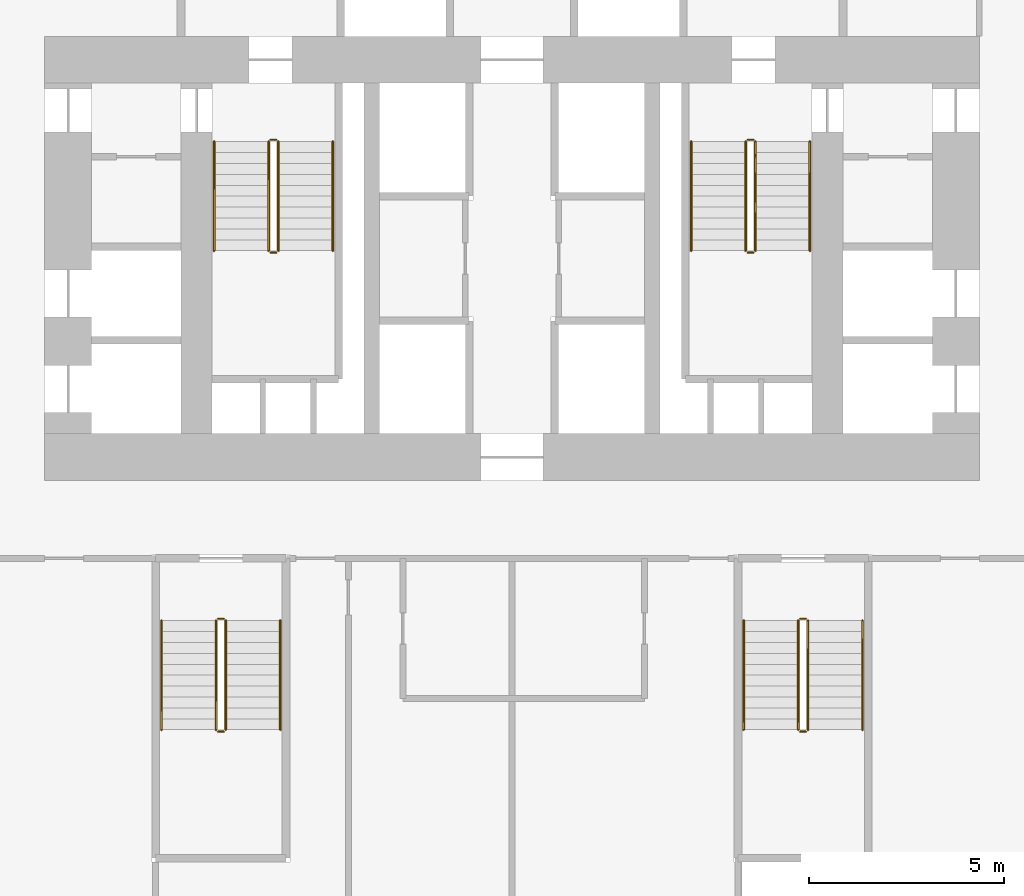
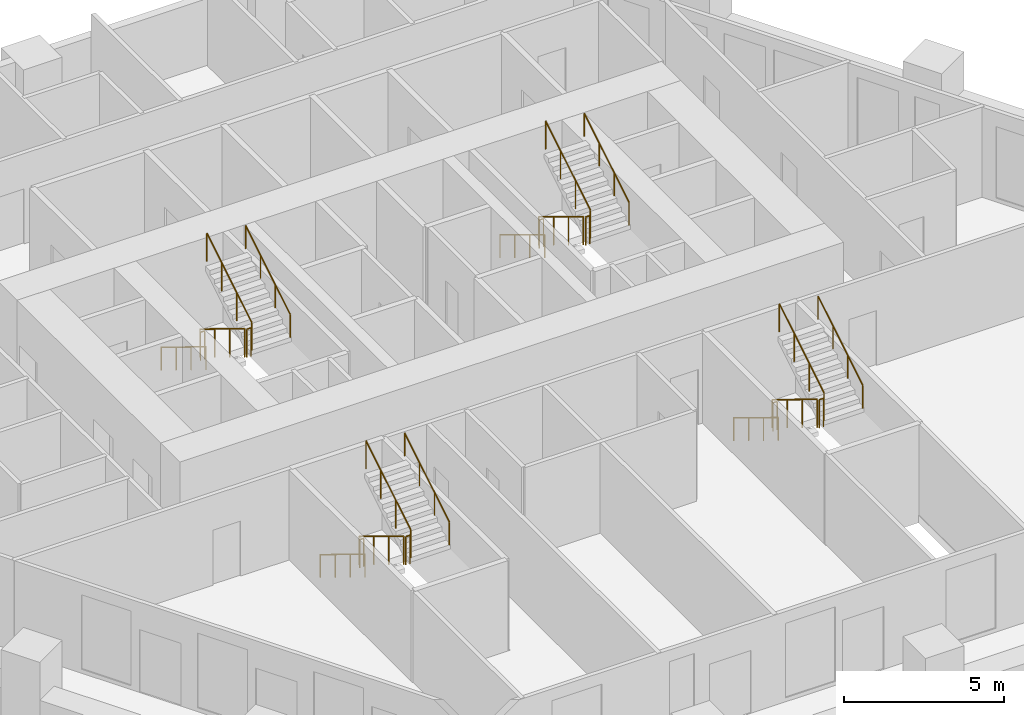
# One storey, part 8 of 8: 24 railings.
"""IFC4 building model written with IfcOpenShell, lengths in metres."""

import ifcopenshell
import ifcopenshell.guid

model = None  # the IFC model being written
_history = None  # IfcOwnerHistory: only IFC2X3 demands one
_inside = {}  # id of a spatial element -> (the spatial element, [elements in it])
_under = {}  # id of a project, library or spatial element -> (it, [spatial elements below it])
_declared = {}  # id of a project -> (the project, [libraries it declares])
_typed = {}  # id of a type object -> (the type object, [elements of that type])
_made_of = {}  # id of a material, layer set ... -> (it, [elements and type objects made of it])


def new_model(schema):
    """Start an empty IFC model of exactly this schema.

    Asked for "IFC4X3", IfcOpenShell would pick the latest addendum, in which some entities
    have other attributes; the version numbers below select the first issue.
    IFC2X3 requires an IfcOwnerHistory on every rooted entity: one is made here for all.
    """
    global model, _history
    if schema == "IFC4X3":
        model = ifcopenshell.file(schema_version=(4, 3, 0, 0))
    else:
        model = ifcopenshell.file(schema=schema)
    _inside.clear()
    _under.clear()
    _declared.clear()
    _typed.clear()
    _made_of.clear()
    _history = None
    if model.schema == "IFC2X3":
        org = make("IfcOrganization", Name="unknown")
        user = make(
            "IfcPersonAndOrganization",
            ThePerson=make("IfcPerson", FamilyName="unknown"),
            TheOrganization=org,
        )
        app = make(
            "IfcApplication",
            ApplicationDeveloper=org,
            Version="unknown",
            ApplicationFullName="unknown",
            ApplicationIdentifier="unknown",
        )
        _history = make(
            "IfcOwnerHistory",
            OwningUser=user,
            OwningApplication=app,
            ChangeAction="ADDED",
            CreationDate=0,
        )
    return model


def make(cls, **values):
    """One entity of the class cls with the attributes given. An attribute that is None is left unset."""
    return model.create_entity(
        cls, **{name: value for name, value in values.items() if value is not None}
    )


def rooted(cls, **values):
    """An entity with a GlobalId (a new one), such as an element, a storey or a relation."""
    return make(cls, GlobalId=ifcopenshell.guid.new(), OwnerHistory=_history, **values)


def si_unit(unit_type, name, prefix=None):
    """IfcSIUnit, for example si_unit("LENGTHUNIT", "METRE", prefix="MILLI")."""
    return make("IfcSIUnit", UnitType=unit_type, Prefix=prefix, Name=name)


def assignment(units):
    """IfcUnitAssignment: the units of a project."""
    return None if units is None else make("IfcUnitAssignment", Units=units)


def point(xyz):
    """IfcCartesianPoint."""
    return None if xyz is None else make("IfcCartesianPoint", Coordinates=xyz)


def direction(xyz):
    """IfcDirection."""
    return None if xyz is None else make("IfcDirection", DirectionRatios=xyz)


def frame(location, z_axis=None, x_axis=None):
    """IfcAxis2Placement3D, a coordinate frame: its origin and axes. An axis left out is left unset."""
    return make(
        "IfcAxis2Placement3D",
        Location=point(location),
        Axis=direction(z_axis),
        RefDirection=direction(x_axis),
    )


def frame_2d(location, x_axis=None):
    """IfcAxis2Placement2D, a coordinate frame in the plane: its origin and x axis."""
    return make(
        "IfcAxis2Placement2D", Location=point(location), RefDirection=direction(x_axis)
    )


def origin():
    """The frame at (0, 0, 0) with its axes left unset."""
    return frame((0.0, 0.0, 0.0))


def origin_2d():
    """The frame at (0, 0) in the plane with its x axis left unset."""
    return frame_2d((0.0, 0.0))


def place(relative_to, where):
    """IfcLocalPlacement: puts the frame where relative to a parent placement (None: the world)."""
    return make(
        "IfcLocalPlacement", PlacementRelTo=relative_to, RelativePlacement=where
    )


def context(
    kind, dimensions, precision=None, world=None, true_north=None, identifier=None
):
    """IfcGeometricRepresentationContext, for example the 3D "Model" context."""
    return make(
        "IfcGeometricRepresentationContext",
        ContextIdentifier=identifier,
        ContextType=kind,
        CoordinateSpaceDimension=dimensions,
        Precision=precision,
        WorldCoordinateSystem=world,
        TrueNorth=true_north,
    )


def subcontext(parent, identifier, kind, view, scale=None):
    """IfcGeometricRepresentationSubContext, for example "Body" below "Model"."""
    return make(
        "IfcGeometricRepresentationSubContext",
        ContextIdentifier=identifier,
        ContextType=kind,
        ParentContext=parent,
        TargetScale=scale,
        TargetView=view,
    )


def project(units=None, contexts=None):
    """IfcProject with its units and contexts."""
    return rooted(
        "IfcProject",
        Name="project",
        RepresentationContexts=contexts,
        UnitsInContext=assignment(units),
    )


def spatial(cls, under=None, at=None, **own):
    """A site, building, storey or space (cls), placed at a placement, below another one or the project."""
    s = rooted(cls, ObjectPlacement=at, **own)
    if under is not None:
        _under.setdefault(under.id(), (under, []))[1].append(s)
    return s


def profile(cls, at=None, kind="AREA", **sizes):
    """A parametric profile (cls). Its sizes go by their IFC names, for example OverallWidth=200.0."""
    return make(cls, ProfileType=kind, Position=at, **sizes)


def circle(**sizes):
    """IfcCircleProfileDef."""
    return profile("IfcCircleProfileDef", **sizes)


def extrude(swept, where, along, depth):
    """IfcExtrudedAreaSolid: the profile swept, set in the frame where, extruded along a direction by depth."""
    return make(
        "IfcExtrudedAreaSolid",
        SweptArea=swept,
        Position=where,
        ExtrudedDirection=direction(along),
        Depth=depth,
    )


def shape(context_of_items, identifier, shape_type, items):
    """IfcShapeRepresentation: the items that make up one representation, for example the "Body"."""
    return make(
        "IfcShapeRepresentation",
        ContextOfItems=context_of_items,
        RepresentationIdentifier=identifier,
        RepresentationType=shape_type,
        Items=items,
    )


def material(Name=None, Category=None):
    """IfcMaterial."""
    return make("IfcMaterial", Name=Name, Category=Category)


def made_of(thing, what):
    """Note that an element or type object is made of a material, layer set ...; save() writes the relation."""
    if what is not None:
        _made_of.setdefault(what.id(), (what, []))[1].append(thing)
    return thing


def type_object(cls, material=None, **own):
    """A type object (cls), such as IfcWallType, which elements share."""
    return made_of(rooted(cls, **own), material)


def element(
    cls,
    number,
    at=None,
    inside=None,
    cuts=None,
    type_object=None,
    material=None,
    context=None,
    identifier="Body",
    shape_type=None,
    held_by="IfcProductDefinitionShape",
    body=None,
    shapes=None,
    **own,
):
    """One element of the class cls, such as IfcWall. Its Tag is "e" and its number.

    at: its placement. inside: the storey or other place that contains it. cuts: it is an
    opening in that element (IfcRelVoidsElement). A single representation is given by context,
    identifier, shape_type and body (its items); several are given by shapes. held_by: the class
    of the entity that holds the representations. save() writes the other relations.
    """
    e = rooted(cls, Tag="e%d" % number, ObjectPlacement=at, **own)
    if body is not None:
        shapes = [shape(context, identifier, shape_type, body)]
    if shapes is not None:
        e.Representation = make(held_by, Representations=shapes)
    if inside is not None:
        _inside.setdefault(inside.id(), (inside, []))[1].append(e)
    if cuts is not None:
        rooted(
            "IfcRelVoidsElement", RelatingBuildingElement=cuts, RelatedOpeningElement=e
        )
    if type_object is not None:
        _typed.setdefault(type_object.id(), (type_object, []))[1].append(e)
    return made_of(e, material)


def aggregate(whole, parts):
    """IfcRelAggregates: a whole, such as a stair, and the parts it consists of."""
    return rooted("IfcRelAggregates", RelatingObject=whole, RelatedObjects=parts)


def save(model, path):
    """Write the relations noted so far, then the file.

    IfcRelAggregates (storeys below a building ...), IfcRelContainedInSpatialStructure (elements
    in a storey), IfcRelDefinesByType, IfcRelAssociatesMaterial and IfcRelDeclares: one each for
    every whole, place, type object, material and project.
    """
    for whole, parts in _under.values():
        aggregate(whole, parts)
    for where, things in _inside.values():
        rooted(
            "IfcRelContainedInSpatialStructure",
            RelatedElements=things,
            RelatingStructure=where,
        )
    for kind, things in _typed.values():
        rooted("IfcRelDefinesByType", RelatedObjects=things, RelatingType=kind)
    for what, things in _made_of.values():
        rooted("IfcRelAssociatesMaterial", RelatedObjects=things, RelatingMaterial=what)
    for by, libraries in _declared.values():
        rooted("IfcRelDeclares", RelatingContext=by, RelatedDefinitions=libraries)
    model.write(path)


model = new_model("IFC4")

# Units and contexts
model_context = context("Model", 3, precision=1e-05, world=origin(), true_north=direction((0.0, 1.0)))
body_context = subcontext(model_context, "Body", "Model", "MODEL_VIEW")
ifc_project = project(units=[si_unit("LENGTHUNIT", "METRE"), si_unit("AREAUNIT", "SQUARE_METRE"), si_unit("VOLUMEUNIT", "CUBIC_METRE"), si_unit("PLANEANGLEUNIT", "RADIAN"), si_unit("MASSUNIT", "GRAM", prefix="KILO")], contexts=[model_context])

# Site, building, storey
site_placement = place(None, origin())
site = spatial("IfcSite", under=ifc_project, at=site_placement, CompositionType="ELEMENT")
building_placement = place(site_placement, origin())
building = spatial("IfcBuilding", under=site, at=building_placement, Name="Ostrander Bayou Hotel Tower", CompositionType="ELEMENT")
storey_placement = place(building_placement, frame((0.0, 0.0, 43.0)))
storey = spatial("IfcBuildingStorey", under=building, at=storey_placement, Name="L10", CompositionType="ELEMENT", Elevation=43.0)

# Railings
ifc_material_1 = material(Name="Steel ASTM A500 Gr C", Category="steel")
railing_type_1 = type_object("IfcRailingType", Name="GR1 stair guard 1100 mm steel", PredefinedType="GUARDRAIL", material=ifc_material_1)
railing_1_placement = place(storey_placement, frame((-6.25, 7.0, 0.17041015625)))
element("IfcRailing", 1, at=railing_1_placement, inside=storey, type_object=railing_type_1, Name="L10 STA stair guard 1", PredefinedType="GUARDRAIL", context=body_context, shape_type="SweptSolid", body=[
    extrude(circle(Radius=0.02392578125, at=origin_2d()), frame((0.0, 0.0, 1.076171875), z_axis=(0.0, -0.854169791009, 0.51999420009), x_axis=(1.0, 0.0, 0.0)), (0.0, 0.0, 1.0), 3.278076171875),
    extrude(circle(Radius=0.02099609375, at=origin_2d()), origin(), (0.0, 0.0, 1.0), 1.052001953125),
    extrude(circle(Radius=0.02099609375, at=origin_2d()), frame((0.0, -0.933349609375, 0.568115234375)), (0.0, 0.0, 1.0), 1.052001953125),
    extrude(circle(Radius=0.02099609375, at=origin_2d()), frame((0.0, -1.86669921875, 1.136474609375)), (0.0, 0.0, 1.0), 1.052001953125),
    extrude(circle(Radius=0.02099609375, at=origin_2d()), frame((0.0, -2.800048828125, 1.70458984375)), (0.0, 0.0, 1.0), 1.052001953125),
])
railing_2_placement = place(storey_placement, frame((-6.199951171875, 4.14990234375, 1.875)))
element("IfcRailing", 2, at=railing_2_placement, inside=storey, type_object=railing_type_1, Name="L10 STA stair guard 2", PredefinedType="GUARDRAIL", context=body_context, shape_type="SweptSolid", body=[
    extrude(circle(Radius=0.02392578125, at=origin_2d()), frame((0.0, 0.0, 1.076171875), z_axis=(1.0, 0.0, 0.0), x_axis=(0.0, 1.0, 0.0)), (0.0, 0.0, 1.0), 0.14990234375),
    extrude(circle(Radius=0.02099609375, at=origin_2d()), origin(), (0.0, 0.0, 1.0), 1.052001953125),
    extrude(circle(Radius=0.02099609375, at=origin_2d()), frame((0.14990234375, 0.0, 0.0)), (0.0, 0.0, 1.0), 1.052001953125),
])
railing_3_placement = place(storey_placement, frame((-6.0, 4.199951171875, 2.04541015625)))
element("IfcRailing", 3, at=railing_3_placement, inside=storey, type_object=railing_type_1, Name="L10 STA stair guard 3", PredefinedType="GUARDRAIL", context=body_context, shape_type="SweptSolid", body=[
    extrude(circle(Radius=0.02392578125, at=origin_2d()), frame((0.0, 0.0, 1.076171875), z_axis=(0.0, 0.854169791009, 0.51999420009), x_axis=(-1.0, 0.0, 0.0)), (0.0, 0.0, 1.0), 3.278076171875),
    extrude(circle(Radius=0.02099609375, at=origin_2d()), origin(), (0.0, 0.0, 1.0), 1.052001953125),
    extrude(circle(Radius=0.02099609375, at=origin_2d()), frame((0.0, 0.933349609375, 0.568115234375)), (0.0, 0.0, 1.0), 1.052001953125),
    extrude(circle(Radius=0.02099609375, at=origin_2d()), frame((0.0, 1.86669921875, 1.136474609375)), (0.0, 0.0, 1.0), 1.052001953125),
    extrude(circle(Radius=0.02099609375, at=origin_2d()), frame((0.0, 2.800048828125, 1.70458984375)), (0.0, 0.0, 1.0), 1.052001953125),
])
railing_4_placement = place(storey_placement, frame((-6.199951171875, 7.050048828125, 0.0)))
element("IfcRailing", 4, at=railing_4_placement, inside=storey, type_object=railing_type_1, Name="L10 STA stair guard 4", PredefinedType="GUARDRAIL", context=body_context, shape_type="SweptSolid", body=[
    extrude(circle(Radius=0.02392578125, at=origin_2d()), frame((0.0, 0.0, 1.076171875), z_axis=(1.0, 0.0, 0.0), x_axis=(0.0, 1.0, 0.0)), (0.0, 0.0, 1.0), 0.14990234375),
    extrude(circle(Radius=0.02099609375, at=origin_2d()), origin(), (0.0, 0.0, 1.0), 1.052001953125),
    extrude(circle(Radius=0.02099609375, at=origin_2d()), frame((0.14990234375, 0.0, 0.0)), (0.0, 0.0, 1.0), 1.052001953125),
])
railing_5_placement = place(storey_placement, frame((6.0, 7.0, 0.17041015625)))
element("IfcRailing", 5, at=railing_5_placement, inside=storey, type_object=railing_type_1, Name="L10 STB stair guard 1", PredefinedType="GUARDRAIL", context=body_context, shape_type="SweptSolid", body=[
    extrude(circle(Radius=0.02392578125, at=origin_2d()), frame((0.0, 0.0, 1.076171875), z_axis=(0.0, -0.854169791009, 0.51999420009), x_axis=(1.0, 0.0, 0.0)), (0.0, 0.0, 1.0), 3.278076171875),
    extrude(circle(Radius=0.02099609375, at=origin_2d()), origin(), (0.0, 0.0, 1.0), 1.052001953125),
    extrude(circle(Radius=0.02099609375, at=origin_2d()), frame((0.0, -0.933349609375, 0.568115234375)), (0.0, 0.0, 1.0), 1.052001953125),
    extrude(circle(Radius=0.02099609375, at=origin_2d()), frame((0.0, -1.86669921875, 1.136474609375)), (0.0, 0.0, 1.0), 1.052001953125),
    extrude(circle(Radius=0.02099609375, at=origin_2d()), frame((0.0, -2.800048828125, 1.70458984375)), (0.0, 0.0, 1.0), 1.052001953125),
])
railing_6_placement = place(storey_placement, frame((6.050048828125, 4.14990234375, 1.875)))
element("IfcRailing", 6, at=railing_6_placement, inside=storey, type_object=railing_type_1, Name="L10 STB stair guard 2", PredefinedType="GUARDRAIL", context=body_context, shape_type="SweptSolid", body=[
    extrude(circle(Radius=0.02392578125, at=origin_2d()), frame((0.0, 0.0, 1.076171875), z_axis=(1.0, 0.0, 0.0), x_axis=(0.0, 1.0, 0.0)), (0.0, 0.0, 1.0), 0.14990234375),
    extrude(circle(Radius=0.02099609375, at=origin_2d()), origin(), (0.0, 0.0, 1.0), 1.052001953125),
    extrude(circle(Radius=0.02099609375, at=origin_2d()), frame((0.14990234375, 0.0, 0.0)), (0.0, 0.0, 1.0), 1.052001953125),
])
railing_7_placement = place(storey_placement, frame((6.25, 4.199951171875, 2.04541015625)))
element("IfcRailing", 7, at=railing_7_placement, inside=storey, type_object=railing_type_1, Name="L10 STB stair guard 3", PredefinedType="GUARDRAIL", context=body_context, shape_type="SweptSolid", body=[
    extrude(circle(Radius=0.02392578125, at=origin_2d()), frame((0.0, 0.0, 1.076171875), z_axis=(0.0, 0.854169791009, 0.51999420009), x_axis=(-1.0, 0.0, 0.0)), (0.0, 0.0, 1.0), 3.278076171875),
    extrude(circle(Radius=0.02099609375, at=origin_2d()), origin(), (0.0, 0.0, 1.0), 1.052001953125),
    extrude(circle(Radius=0.02099609375, at=origin_2d()), frame((0.0, 0.933349609375, 0.568115234375)), (0.0, 0.0, 1.0), 1.052001953125),
    extrude(circle(Radius=0.02099609375, at=origin_2d()), frame((0.0, 1.86669921875, 1.136474609375)), (0.0, 0.0, 1.0), 1.052001953125),
    extrude(circle(Radius=0.02099609375, at=origin_2d()), frame((0.0, 2.800048828125, 1.70458984375)), (0.0, 0.0, 1.0), 1.052001953125),
])
railing_8_placement = place(storey_placement, frame((6.050048828125, 7.050048828125, 0.0)))
element("IfcRailing", 8, at=railing_8_placement, inside=storey, type_object=railing_type_1, Name="L10 STB stair guard 4", PredefinedType="GUARDRAIL", context=body_context, shape_type="SweptSolid", body=[
    extrude(circle(Radius=0.02392578125, at=origin_2d()), frame((0.0, 0.0, 1.076171875), z_axis=(1.0, 0.0, 0.0), x_axis=(0.0, 1.0, 0.0)), (0.0, 0.0, 1.0), 0.14990234375),
    extrude(circle(Radius=0.02099609375, at=origin_2d()), origin(), (0.0, 0.0, 1.0), 1.052001953125),
    extrude(circle(Radius=0.02099609375, at=origin_2d()), frame((0.14990234375, 0.0, 0.0)), (0.0, 0.0, 1.0), 1.052001953125),
])
railing_9_placement = place(storey_placement, frame((7.35009765625, -5.300048828125, 0.17041015625)))
element("IfcRailing", 9, at=railing_9_placement, inside=storey, type_object=railing_type_1, Name="L10 STC stair guard 1", PredefinedType="GUARDRAIL", context=body_context, shape_type="SweptSolid", body=[
    extrude(circle(Radius=0.02392578125, at=origin_2d()), frame((0.0, 0.0, 1.076171875), z_axis=(0.0, -0.854169791009, 0.51999420009), x_axis=(1.0, 0.0, 0.0)), (0.0, 0.0, 1.0), 3.278076171875),
    extrude(circle(Radius=0.02099609375, at=origin_2d()), origin(), (0.0, 0.0, 1.0), 1.052001953125),
    extrude(circle(Radius=0.02099609375, at=origin_2d()), frame((0.0, -0.933349609375, 0.568115234375)), (0.0, 0.0, 1.0), 1.052001953125),
    extrude(circle(Radius=0.02099609375, at=origin_2d()), frame((0.0, -1.86669921875, 1.136474609375)), (0.0, 0.0, 1.0), 1.052001953125),
    extrude(circle(Radius=0.02099609375, at=origin_2d()), frame((0.0, -2.800048828125, 1.70458984375)), (0.0, 0.0, 1.0), 1.052001953125),
])
railing_10_placement = place(storey_placement, frame((7.39990234375, -8.14990234375, 1.875)))
element("IfcRailing", 10, at=railing_10_placement, inside=storey, type_object=railing_type_1, Name="L10 STC stair guard 2", PredefinedType="GUARDRAIL", context=body_context, shape_type="SweptSolid", body=[
    extrude(circle(Radius=0.02392578125, at=origin_2d()), frame((0.0, 0.0, 1.076171875), z_axis=(1.0, 0.0, 0.0), x_axis=(0.0, 1.0, 0.0)), (0.0, 0.0, 1.0), 0.150146484375),
    extrude(circle(Radius=0.02099609375, at=origin_2d()), origin(), (0.0, 0.0, 1.0), 1.052001953125),
    extrude(circle(Radius=0.02099609375, at=origin_2d()), frame((0.150146484375, 0.0, 0.0)), (0.0, 0.0, 1.0), 1.052001953125),
])
railing_11_placement = place(storey_placement, frame((7.60009765625, -8.10009765625, 2.04541015625)))
element("IfcRailing", 11, at=railing_11_placement, inside=storey, type_object=railing_type_1, Name="L10 STC stair guard 3", PredefinedType="GUARDRAIL", context=body_context, shape_type="SweptSolid", body=[
    extrude(circle(Radius=0.02392578125, at=origin_2d()), frame((0.0, 0.0, 1.076171875), z_axis=(0.0, 0.854169791009, 0.51999420009), x_axis=(-1.0, 0.0, 0.0)), (0.0, 0.0, 1.0), 3.278076171875),
    extrude(circle(Radius=0.02099609375, at=origin_2d()), origin(), (0.0, 0.0, 1.0), 1.052001953125),
    extrude(circle(Radius=0.02099609375, at=origin_2d()), frame((0.0, 0.933349609375, 0.568115234375)), (0.0, 0.0, 1.0), 1.052001953125),
    extrude(circle(Radius=0.02099609375, at=origin_2d()), frame((0.0, 1.86669921875, 1.136474609375)), (0.0, 0.0, 1.0), 1.052001953125),
    extrude(circle(Radius=0.02099609375, at=origin_2d()), frame((0.0, 2.800048828125, 1.70458984375)), (0.0, 0.0, 1.0), 1.052001953125),
])
railing_12_placement = place(storey_placement, frame((7.39990234375, -5.25, 0.0)))
element("IfcRailing", 12, at=railing_12_placement, inside=storey, type_object=railing_type_1, Name="L10 STC stair guard 4", PredefinedType="GUARDRAIL", context=body_context, shape_type="SweptSolid", body=[
    extrude(circle(Radius=0.02392578125, at=origin_2d()), frame((0.0, 0.0, 1.076171875), z_axis=(1.0, 0.0, 0.0), x_axis=(0.0, 1.0, 0.0)), (0.0, 0.0, 1.0), 0.150146484375),
    extrude(circle(Radius=0.02099609375, at=origin_2d()), origin(), (0.0, 0.0, 1.0), 1.052001953125),
    extrude(circle(Radius=0.02099609375, at=origin_2d()), frame((0.150146484375, 0.0, 0.0)), (0.0, 0.0, 1.0), 1.052001953125),
])
railing_13_placement = place(storey_placement, frame((-7.60009765625, -5.300048828125, 0.17041015625)))
element("IfcRailing", 13, at=railing_13_placement, inside=storey, type_object=railing_type_1, Name="L10 STD stair guard 1", PredefinedType="GUARDRAIL", context=body_context, shape_type="SweptSolid", body=[
    extrude(circle(Radius=0.02392578125, at=origin_2d()), frame((0.0, 0.0, 1.076171875), z_axis=(0.0, -0.854169791009, 0.51999420009), x_axis=(1.0, 0.0, 0.0)), (0.0, 0.0, 1.0), 3.278076171875),
    extrude(circle(Radius=0.02099609375, at=origin_2d()), origin(), (0.0, 0.0, 1.0), 1.052001953125),
    extrude(circle(Radius=0.02099609375, at=origin_2d()), frame((0.0, -0.933349609375, 0.568115234375)), (0.0, 0.0, 1.0), 1.052001953125),
    extrude(circle(Radius=0.02099609375, at=origin_2d()), frame((0.0, -1.86669921875, 1.136474609375)), (0.0, 0.0, 1.0), 1.052001953125),
    extrude(circle(Radius=0.02099609375, at=origin_2d()), frame((0.0, -2.800048828125, 1.70458984375)), (0.0, 0.0, 1.0), 1.052001953125),
])
railing_14_placement = place(storey_placement, frame((-7.550048828125, -8.14990234375, 1.875)))
element("IfcRailing", 14, at=railing_14_placement, inside=storey, type_object=railing_type_1, Name="L10 STD stair guard 2", PredefinedType="GUARDRAIL", context=body_context, shape_type="SweptSolid", body=[
    extrude(circle(Radius=0.02392578125, at=origin_2d()), frame((0.0, 0.0, 1.076171875), z_axis=(1.0, 0.0, 0.0), x_axis=(0.0, 1.0, 0.0)), (0.0, 0.0, 1.0), 0.150146484375),
    extrude(circle(Radius=0.02099609375, at=origin_2d()), origin(), (0.0, 0.0, 1.0), 1.052001953125),
    extrude(circle(Radius=0.02099609375, at=origin_2d()), frame((0.150146484375, 0.0, 0.0)), (0.0, 0.0, 1.0), 1.052001953125),
])
railing_15_placement = place(storey_placement, frame((-7.35009765625, -8.10009765625, 2.04541015625)))
element("IfcRailing", 15, at=railing_15_placement, inside=storey, type_object=railing_type_1, Name="L10 STD stair guard 3", PredefinedType="GUARDRAIL", context=body_context, shape_type="SweptSolid", body=[
    extrude(circle(Radius=0.02392578125, at=origin_2d()), frame((0.0, 0.0, 1.076171875), z_axis=(0.0, 0.854169791009, 0.51999420009), x_axis=(-1.0, 0.0, 0.0)), (0.0, 0.0, 1.0), 3.278076171875),
    extrude(circle(Radius=0.02099609375, at=origin_2d()), origin(), (0.0, 0.0, 1.0), 1.052001953125),
    extrude(circle(Radius=0.02099609375, at=origin_2d()), frame((0.0, 0.933349609375, 0.568115234375)), (0.0, 0.0, 1.0), 1.052001953125),
    extrude(circle(Radius=0.02099609375, at=origin_2d()), frame((0.0, 1.86669921875, 1.136474609375)), (0.0, 0.0, 1.0), 1.052001953125),
    extrude(circle(Radius=0.02099609375, at=origin_2d()), frame((0.0, 2.800048828125, 1.70458984375)), (0.0, 0.0, 1.0), 1.052001953125),
])
railing_16_placement = place(storey_placement, frame((-7.550048828125, -5.25, 0.0)))
element("IfcRailing", 16, at=railing_16_placement, inside=storey, type_object=railing_type_1, Name="L10 STD stair guard 4", PredefinedType="GUARDRAIL", context=body_context, shape_type="SweptSolid", body=[
    extrude(circle(Radius=0.02392578125, at=origin_2d()), frame((0.0, 0.0, 1.076171875), z_axis=(1.0, 0.0, 0.0), x_axis=(0.0, 1.0, 0.0)), (0.0, 0.0, 1.0), 0.150146484375),
    extrude(circle(Radius=0.02099609375, at=origin_2d()), origin(), (0.0, 0.0, 1.0), 1.052001953125),
    extrude(circle(Radius=0.02099609375, at=origin_2d()), frame((0.150146484375, 0.0, 0.0)), (0.0, 0.0, 1.0), 1.052001953125),
])
ifc_material_2 = material(Name="Steel ASTM A500 Gr C", Category="steel")
railing_type_2 = type_object("IfcRailingType", Name="HR1 stair handrail 900 mm steel", PredefinedType="HANDRAIL", material=ifc_material_2)
railing_17_placement = place(storey_placement, frame((-7.64990234375, 7.0, 0.17041015625)))
element("IfcRailing", 17, at=railing_17_placement, inside=storey, type_object=railing_type_2, Name="L10 STA stair handrail 1", PredefinedType="HANDRAIL", context=body_context, shape_type="SweptSolid", body=[
    extrude(circle(Radius=0.02392578125, at=origin_2d()), frame((0.0, 0.0, 0.8759765625), z_axis=(0.0, -0.854169791009, 0.51999420009), x_axis=(1.0, 0.0, 0.0)), (0.0, 0.0, 1.0), 3.278076171875),
    extrude(circle(Radius=0.02099609375, at=origin_2d()), origin(), (0.0, 0.0, 1.0), 0.851806640625),
    extrude(circle(Radius=0.02099609375, at=origin_2d()), frame((0.0, -0.933349609375, 0.568115234375)), (0.0, 0.0, 1.0), 0.851806640625),
    extrude(circle(Radius=0.02099609375, at=origin_2d()), frame((0.0, -1.86669921875, 1.136474609375)), (0.0, 0.0, 1.0), 0.851806640625),
    extrude(circle(Radius=0.02099609375, at=origin_2d()), frame((0.0, -2.800048828125, 1.70458984375)), (0.0, 0.0, 1.0), 0.851806640625),
])
railing_18_placement = place(storey_placement, frame((-4.60009765625, 4.199951171875, 2.04541015625)))
element("IfcRailing", 18, at=railing_18_placement, inside=storey, type_object=railing_type_2, Name="L10 STA stair handrail 2", PredefinedType="HANDRAIL", context=body_context, shape_type="SweptSolid", body=[
    extrude(circle(Radius=0.02392578125, at=origin_2d()), frame((0.0, 0.0, 0.8759765625), z_axis=(0.0, 0.854169791009, 0.51999420009), x_axis=(-1.0, 0.0, 0.0)), (0.0, 0.0, 1.0), 3.278076171875),
    extrude(circle(Radius=0.02099609375, at=origin_2d()), origin(), (0.0, 0.0, 1.0), 0.851806640625),
    extrude(circle(Radius=0.02099609375, at=origin_2d()), frame((0.0, 0.933349609375, 0.568115234375)), (0.0, 0.0, 1.0), 0.851806640625),
    extrude(circle(Radius=0.02099609375, at=origin_2d()), frame((0.0, 1.86669921875, 1.136474609375)), (0.0, 0.0, 1.0), 0.851806640625),
    extrude(circle(Radius=0.02099609375, at=origin_2d()), frame((0.0, 2.800048828125, 1.70458984375)), (0.0, 0.0, 1.0), 0.851806640625),
])
railing_19_placement = place(storey_placement, frame((4.60009765625, 7.0, 0.17041015625)))
element("IfcRailing", 19, at=railing_19_placement, inside=storey, type_object=railing_type_2, Name="L10 STB stair handrail 1", PredefinedType="HANDRAIL", context=body_context, shape_type="SweptSolid", body=[
    extrude(circle(Radius=0.02392578125, at=origin_2d()), frame((0.0, 0.0, 0.8759765625), z_axis=(0.0, -0.854169791009, 0.51999420009), x_axis=(1.0, 0.0, 0.0)), (0.0, 0.0, 1.0), 3.278076171875),
    extrude(circle(Radius=0.02099609375, at=origin_2d()), origin(), (0.0, 0.0, 1.0), 0.851806640625),
    extrude(circle(Radius=0.02099609375, at=origin_2d()), frame((0.0, -0.933349609375, 0.568115234375)), (0.0, 0.0, 1.0), 0.851806640625),
    extrude(circle(Radius=0.02099609375, at=origin_2d()), frame((0.0, -1.86669921875, 1.136474609375)), (0.0, 0.0, 1.0), 0.851806640625),
    extrude(circle(Radius=0.02099609375, at=origin_2d()), frame((0.0, -2.800048828125, 1.70458984375)), (0.0, 0.0, 1.0), 0.851806640625),
])
railing_20_placement = place(storey_placement, frame((7.64990234375, 4.199951171875, 2.04541015625)))
element("IfcRailing", 20, at=railing_20_placement, inside=storey, type_object=railing_type_2, Name="L10 STB stair handrail 2", PredefinedType="HANDRAIL", context=body_context, shape_type="SweptSolid", body=[
    extrude(circle(Radius=0.02392578125, at=origin_2d()), frame((0.0, 0.0, 0.8759765625), z_axis=(0.0, 0.854169791009, 0.51999420009), x_axis=(-1.0, 0.0, 0.0)), (0.0, 0.0, 1.0), 3.278076171875),
    extrude(circle(Radius=0.02099609375, at=origin_2d()), origin(), (0.0, 0.0, 1.0), 0.851806640625),
    extrude(circle(Radius=0.02099609375, at=origin_2d()), frame((0.0, 0.933349609375, 0.568115234375)), (0.0, 0.0, 1.0), 0.851806640625),
    extrude(circle(Radius=0.02099609375, at=origin_2d()), frame((0.0, 1.86669921875, 1.136474609375)), (0.0, 0.0, 1.0), 0.851806640625),
    extrude(circle(Radius=0.02099609375, at=origin_2d()), frame((0.0, 2.800048828125, 1.70458984375)), (0.0, 0.0, 1.0), 0.851806640625),
])
railing_21_placement = place(storey_placement, frame((5.949951171875, -5.300048828125, 0.17041015625)))
element("IfcRailing", 21, at=railing_21_placement, inside=storey, type_object=railing_type_2, Name="L10 STC stair handrail 1", PredefinedType="HANDRAIL", context=body_context, shape_type="SweptSolid", body=[
    extrude(circle(Radius=0.02392578125, at=origin_2d()), frame((0.0, 0.0, 0.8759765625), z_axis=(0.0, -0.854169791009, 0.51999420009), x_axis=(1.0, 0.0, 0.0)), (0.0, 0.0, 1.0), 3.278076171875),
    extrude(circle(Radius=0.02099609375, at=origin_2d()), origin(), (0.0, 0.0, 1.0), 0.851806640625),
    extrude(circle(Radius=0.02099609375, at=origin_2d()), frame((0.0, -0.933349609375, 0.568115234375)), (0.0, 0.0, 1.0), 0.851806640625),
    extrude(circle(Radius=0.02099609375, at=origin_2d()), frame((0.0, -1.86669921875, 1.136474609375)), (0.0, 0.0, 1.0), 0.851806640625),
    extrude(circle(Radius=0.02099609375, at=origin_2d()), frame((0.0, -2.800048828125, 1.70458984375)), (0.0, 0.0, 1.0), 0.851806640625),
])
railing_22_placement = place(storey_placement, frame((9.0, -8.10009765625, 2.04541015625)))
element("IfcRailing", 22, at=railing_22_placement, inside=storey, type_object=railing_type_2, Name="L10 STC stair handrail 2", PredefinedType="HANDRAIL", context=body_context, shape_type="SweptSolid", body=[
    extrude(circle(Radius=0.02392578125, at=origin_2d()), frame((0.0, 0.0, 0.8759765625), z_axis=(0.0, 0.854169791009, 0.51999420009), x_axis=(-1.0, 0.0, 0.0)), (0.0, 0.0, 1.0), 3.278076171875),
    extrude(circle(Radius=0.02099609375, at=origin_2d()), origin(), (0.0, 0.0, 1.0), 0.851806640625),
    extrude(circle(Radius=0.02099609375, at=origin_2d()), frame((0.0, 0.933349609375, 0.568115234375)), (0.0, 0.0, 1.0), 0.851806640625),
    extrude(circle(Radius=0.02099609375, at=origin_2d()), frame((0.0, 1.86669921875, 1.136474609375)), (0.0, 0.0, 1.0), 0.851806640625),
    extrude(circle(Radius=0.02099609375, at=origin_2d()), frame((0.0, 2.800048828125, 1.70458984375)), (0.0, 0.0, 1.0), 0.851806640625),
])
railing_23_placement = place(storey_placement, frame((-9.0, -5.300048828125, 0.17041015625)))
element("IfcRailing", 23, at=railing_23_placement, inside=storey, type_object=railing_type_2, Name="L10 STD stair handrail 1", PredefinedType="HANDRAIL", context=body_context, shape_type="SweptSolid", body=[
    extrude(circle(Radius=0.02392578125, at=origin_2d()), frame((0.0, 0.0, 0.8759765625), z_axis=(0.0, -0.854169791009, 0.51999420009), x_axis=(1.0, 0.0, 0.0)), (0.0, 0.0, 1.0), 3.278076171875),
    extrude(circle(Radius=0.02099609375, at=origin_2d()), origin(), (0.0, 0.0, 1.0), 0.851806640625),
    extrude(circle(Radius=0.02099609375, at=origin_2d()), frame((0.0, -0.933349609375, 0.568115234375)), (0.0, 0.0, 1.0), 0.851806640625),
    extrude(circle(Radius=0.02099609375, at=origin_2d()), frame((0.0, -1.86669921875, 1.136474609375)), (0.0, 0.0, 1.0), 0.851806640625),
    extrude(circle(Radius=0.02099609375, at=origin_2d()), frame((0.0, -2.800048828125, 1.70458984375)), (0.0, 0.0, 1.0), 0.851806640625),
])
railing_24_placement = place(storey_placement, frame((-5.949951171875, -8.10009765625, 2.04541015625)))
element("IfcRailing", 24, at=railing_24_placement, inside=storey, type_object=railing_type_2, Name="L10 STD stair handrail 2", PredefinedType="HANDRAIL", context=body_context, shape_type="SweptSolid", body=[
    extrude(circle(Radius=0.02392578125, at=origin_2d()), frame((0.0, 0.0, 0.8759765625), z_axis=(0.0, 0.854169791009, 0.51999420009), x_axis=(-1.0, 0.0, 0.0)), (0.0, 0.0, 1.0), 3.278076171875),
    extrude(circle(Radius=0.02099609375, at=origin_2d()), origin(), (0.0, 0.0, 1.0), 0.851806640625),
    extrude(circle(Radius=0.02099609375, at=origin_2d()), frame((0.0, 0.933349609375, 0.568115234375)), (0.0, 0.0, 1.0), 0.851806640625),
    extrude(circle(Radius=0.02099609375, at=origin_2d()), frame((0.0, 1.86669921875, 1.136474609375)), (0.0, 0.0, 1.0), 0.851806640625),
    extrude(circle(Radius=0.02099609375, at=origin_2d()), frame((0.0, 2.800048828125, 1.70458984375)), (0.0, 0.0, 1.0), 0.851806640625),
])

save(model, "model.ifc")
